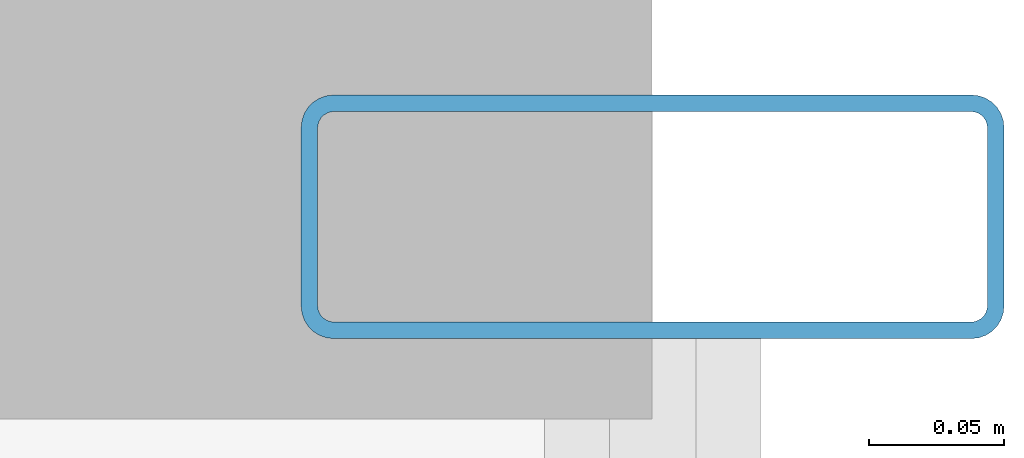
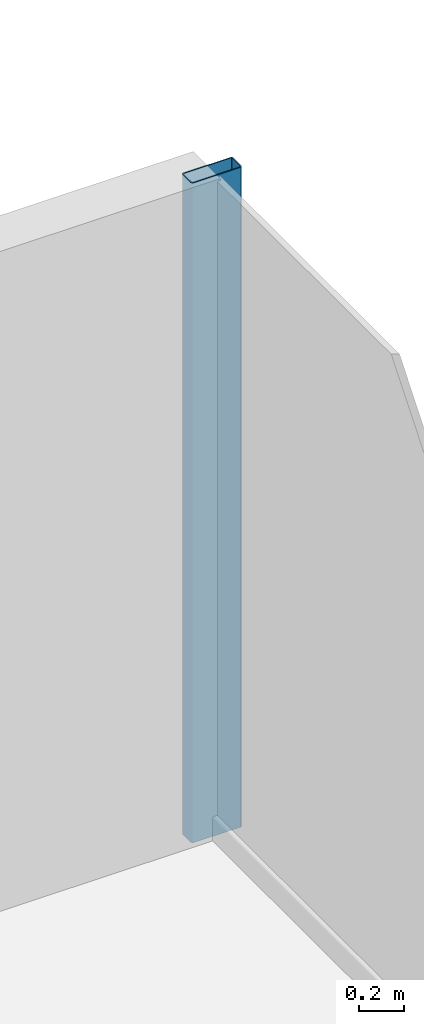
# One storey, part 18 of 26: 1 member, 1 element without a shape of its own.
"""IFC4 building model written with IfcOpenShell, lengths in metres."""

import ifcopenshell
import ifcopenshell.guid

model = None  # the IFC model being written
_history = None  # IfcOwnerHistory: only IFC2X3 demands one
_inside = {}  # id of a spatial element -> (the spatial element, [elements in it])
_under = {}  # id of a project, library or spatial element -> (it, [spatial elements below it])
_declared = {}  # id of a project -> (the project, [libraries it declares])
_typed = {}  # id of a type object -> (the type object, [elements of that type])
_made_of = {}  # id of a material, layer set ... -> (it, [elements and type objects made of it])


def new_model(schema):
    """Start an empty IFC model of exactly this schema.

    Asked for "IFC4X3", IfcOpenShell would pick the latest addendum, in which some entities
    have other attributes; the version numbers below select the first issue.
    IFC2X3 requires an IfcOwnerHistory on every rooted entity: one is made here for all.
    """
    global model, _history
    if schema == "IFC4X3":
        model = ifcopenshell.file(schema_version=(4, 3, 0, 0))
    else:
        model = ifcopenshell.file(schema=schema)
    _inside.clear()
    _under.clear()
    _declared.clear()
    _typed.clear()
    _made_of.clear()
    _history = None
    if model.schema == "IFC2X3":
        org = make("IfcOrganization", Name="unknown")
        user = make(
            "IfcPersonAndOrganization",
            ThePerson=make("IfcPerson", FamilyName="unknown"),
            TheOrganization=org,
        )
        app = make(
            "IfcApplication",
            ApplicationDeveloper=org,
            Version="unknown",
            ApplicationFullName="unknown",
            ApplicationIdentifier="unknown",
        )
        _history = make(
            "IfcOwnerHistory",
            OwningUser=user,
            OwningApplication=app,
            ChangeAction="ADDED",
            CreationDate=0,
        )
    return model


def make(cls, **values):
    """One entity of the class cls with the attributes given. An attribute that is None is left unset."""
    return model.create_entity(
        cls, **{name: value for name, value in values.items() if value is not None}
    )


def rooted(cls, **values):
    """An entity with a GlobalId (a new one), such as an element, a storey or a relation."""
    return make(cls, GlobalId=ifcopenshell.guid.new(), OwnerHistory=_history, **values)


def si_unit(unit_type, name, prefix=None):
    """IfcSIUnit, for example si_unit("LENGTHUNIT", "METRE", prefix="MILLI")."""
    return make("IfcSIUnit", UnitType=unit_type, Prefix=prefix, Name=name)


def assignment(units):
    """IfcUnitAssignment: the units of a project."""
    return None if units is None else make("IfcUnitAssignment", Units=units)


def point(xyz):
    """IfcCartesianPoint."""
    return None if xyz is None else make("IfcCartesianPoint", Coordinates=xyz)


def direction(xyz):
    """IfcDirection."""
    return None if xyz is None else make("IfcDirection", DirectionRatios=xyz)


def frame(location, z_axis=None, x_axis=None):
    """IfcAxis2Placement3D, a coordinate frame: its origin and axes. An axis left out is left unset."""
    return make(
        "IfcAxis2Placement3D",
        Location=point(location),
        Axis=direction(z_axis),
        RefDirection=direction(x_axis),
    )


def frame_2d(location, x_axis=None):
    """IfcAxis2Placement2D, a coordinate frame in the plane: its origin and x axis."""
    return make(
        "IfcAxis2Placement2D", Location=point(location), RefDirection=direction(x_axis)
    )


def origin():
    """The frame at (0, 0, 0) with its axes left unset."""
    return frame((0.0, 0.0, 0.0))


def origin_2d():
    """The frame at (0, 0) in the plane with its x axis left unset."""
    return frame_2d((0.0, 0.0))


def place(relative_to, where):
    """IfcLocalPlacement: puts the frame where relative to a parent placement (None: the world)."""
    return make(
        "IfcLocalPlacement", PlacementRelTo=relative_to, RelativePlacement=where
    )


def context(
    kind, dimensions, precision=None, world=None, true_north=None, identifier=None
):
    """IfcGeometricRepresentationContext, for example the 3D "Model" context."""
    return make(
        "IfcGeometricRepresentationContext",
        ContextIdentifier=identifier,
        ContextType=kind,
        CoordinateSpaceDimension=dimensions,
        Precision=precision,
        WorldCoordinateSystem=world,
        TrueNorth=true_north,
    )


def subcontext(parent, identifier, kind, view, scale=None):
    """IfcGeometricRepresentationSubContext, for example "Body" below "Model"."""
    return make(
        "IfcGeometricRepresentationSubContext",
        ContextIdentifier=identifier,
        ContextType=kind,
        ParentContext=parent,
        TargetScale=scale,
        TargetView=view,
    )


def project(units=None, contexts=None):
    """IfcProject with its units and contexts."""
    return rooted(
        "IfcProject",
        Name="project",
        RepresentationContexts=contexts,
        UnitsInContext=assignment(units),
    )


def spatial(cls, under=None, at=None, **own):
    """A site, building, storey or space (cls), placed at a placement, below another one or the project."""
    s = rooted(cls, ObjectPlacement=at, **own)
    if under is not None:
        _under.setdefault(under.id(), (under, []))[1].append(s)
    return s


def profile(cls, at=None, kind="AREA", **sizes):
    """A parametric profile (cls). Its sizes go by their IFC names, for example OverallWidth=200.0."""
    return make(cls, ProfileType=kind, Position=at, **sizes)


def hollow_rectangle(**sizes):
    """IfcRectangleHollowProfileDef."""
    return profile("IfcRectangleHollowProfileDef", **sizes)


def extrude(swept, where, along, depth):
    """IfcExtrudedAreaSolid: the profile swept, set in the frame where, extruded along a direction by depth."""
    return make(
        "IfcExtrudedAreaSolid",
        SweptArea=swept,
        Position=where,
        ExtrudedDirection=direction(along),
        Depth=depth,
    )


def shape(context_of_items, identifier, shape_type, items):
    """IfcShapeRepresentation: the items that make up one representation, for example the "Body"."""
    return make(
        "IfcShapeRepresentation",
        ContextOfItems=context_of_items,
        RepresentationIdentifier=identifier,
        RepresentationType=shape_type,
        Items=items,
    )


def source(mapping_origin, context_of_items, identifier, shape_type, items):
    """IfcRepresentationMap: a shape defined once, which mapped items show again and again."""
    return make(
        "IfcRepresentationMap",
        MappingOrigin=mapping_origin,
        MappedRepresentation=shape(context_of_items, identifier, shape_type, items),
    )


def transform(
    local_origin,
    x_axis=None,
    y_axis=None,
    z_axis=None,
    scale=None,
    scale2=None,
    scale3=None,
    uniform=True,
):
    """IfcCartesianTransformationOperator3D, or its non-uniform kind. x_axis, y_axis, z_axis: its Axis1, 2, 3."""
    if uniform:
        return make(
            "IfcCartesianTransformationOperator3D",
            Axis1=direction(x_axis),
            Axis2=direction(y_axis),
            LocalOrigin=point(local_origin),
            Scale=scale,
            Axis3=direction(z_axis),
        )
    return make(
        "IfcCartesianTransformationOperator3DnonUniform",
        Axis1=direction(x_axis),
        Axis2=direction(y_axis),
        LocalOrigin=point(local_origin),
        Scale=scale,
        Axis3=direction(z_axis),
        Scale2=scale2,
        Scale3=scale3,
    )


def mapped(mapping_source, mapping_target):
    """IfcMappedItem: shows the shape of a source again, moved by a transform."""
    return make(
        "IfcMappedItem", MappingSource=mapping_source, MappingTarget=mapping_target
    )


def material(Name=None, Category=None):
    """IfcMaterial."""
    return make("IfcMaterial", Name=Name, Category=Category)


def layer(
    of_material, thickness, ventilated=None, Name=None, Category=None, Priority=None
):
    """IfcMaterialLayer: one layer of a wall or slab, of a material (None: an air gap)."""
    return make(
        "IfcMaterialLayer",
        Material=of_material,
        LayerThickness=thickness,
        IsVentilated=ventilated,
        Name=Name,
        Category=Category,
        Priority=Priority,
    )


def layer_set(layers, Name=None):
    """IfcMaterialLayerSet."""
    return make("IfcMaterialLayerSet", MaterialLayers=layers, LayerSetName=Name)


def material_profile(
    of_material, cross_section, Name=None, Category=None, Priority=None
):
    """IfcMaterialProfile: a cross section and its material."""
    return make(
        "IfcMaterialProfile",
        Name=Name,
        Material=of_material,
        Profile=cross_section,
        Priority=Priority,
        Category=Category,
    )


def profile_set(profiles, Name=None, composite=None):
    """IfcMaterialProfileSet."""
    return make(
        "IfcMaterialProfileSet",
        Name=Name,
        MaterialProfiles=profiles,
        CompositeProfile=composite,
    )


def made_of(thing, what):
    """Note that an element or type object is made of a material, layer set ...; save() writes the relation."""
    if what is not None:
        _made_of.setdefault(what.id(), (what, []))[1].append(thing)
    return thing


def type_object(cls, material=None, **own):
    """A type object (cls), such as IfcWallType, which elements share."""
    return made_of(rooted(cls, **own), material)


def element(
    cls,
    number,
    at=None,
    inside=None,
    cuts=None,
    type_object=None,
    material=None,
    context=None,
    identifier="Body",
    shape_type=None,
    held_by="IfcProductDefinitionShape",
    body=None,
    shapes=None,
    **own,
):
    """One element of the class cls, such as IfcWall. Its Tag is "e" and its number.

    at: its placement. inside: the storey or other place that contains it. cuts: it is an
    opening in that element (IfcRelVoidsElement). A single representation is given by context,
    identifier, shape_type and body (its items); several are given by shapes. held_by: the class
    of the entity that holds the representations. save() writes the other relations.
    """
    e = rooted(cls, Tag="e%d" % number, ObjectPlacement=at, **own)
    if body is not None:
        shapes = [shape(context, identifier, shape_type, body)]
    if shapes is not None:
        e.Representation = make(held_by, Representations=shapes)
    if inside is not None:
        _inside.setdefault(inside.id(), (inside, []))[1].append(e)
    if cuts is not None:
        rooted(
            "IfcRelVoidsElement", RelatingBuildingElement=cuts, RelatedOpeningElement=e
        )
    if type_object is not None:
        _typed.setdefault(type_object.id(), (type_object, []))[1].append(e)
    return made_of(e, material)


def aggregate(whole, parts):
    """IfcRelAggregates: a whole, such as a stair, and the parts it consists of."""
    return rooted("IfcRelAggregates", RelatingObject=whole, RelatedObjects=parts)


def save(model, path):
    """Write the relations noted so far, then the file.

    IfcRelAggregates (storeys below a building ...), IfcRelContainedInSpatialStructure (elements
    in a storey), IfcRelDefinesByType, IfcRelAssociatesMaterial and IfcRelDeclares: one each for
    every whole, place, type object, material and project.
    """
    for whole, parts in _under.values():
        aggregate(whole, parts)
    for where, things in _inside.values():
        rooted(
            "IfcRelContainedInSpatialStructure",
            RelatedElements=things,
            RelatingStructure=where,
        )
    for kind, things in _typed.values():
        rooted("IfcRelDefinesByType", RelatedObjects=things, RelatingType=kind)
    for what, things in _made_of.values():
        rooted("IfcRelAssociatesMaterial", RelatedObjects=things, RelatingMaterial=what)
    for by, libraries in _declared.values():
        rooted("IfcRelDeclares", RelatingContext=by, RelatedDefinitions=libraries)
    model.write(path)


model = new_model("IFC4")

# Units and contexts
model_context = context("Model", 3, precision=1e-05, world=origin(), true_north=direction((0.0, 1.0)))
body_context = subcontext(model_context, "Body", "Model", "MODEL_VIEW")
ifc_project = project(units=[si_unit("LENGTHUNIT", "METRE"), si_unit("AREAUNIT", "SQUARE_METRE"), si_unit("VOLUMEUNIT", "CUBIC_METRE"), si_unit("PLANEANGLEUNIT", "RADIAN"), si_unit("MASSUNIT", "GRAM", prefix="KILO")], contexts=[model_context])

# Site, building, storey
site_placement = place(None, origin())
site = spatial("IfcSite", under=ifc_project, at=site_placement, CompositionType="ELEMENT")
building_placement = place(site_placement, origin())
building = spatial("IfcBuilding", under=site, at=building_placement, Name="Nefas-Gora Pilgrimage Tower", CompositionType="ELEMENT")
storey_placement = place(building_placement, frame((0.0, 0.0, 94.60009765625)))
storey = spatial("IfcBuildingStorey", under=building, at=storey_placement, Name="L22", CompositionType="ELEMENT", Elevation=94.60009765625)

# Curtain wall, member
ifc_material_1 = material(Name="Dark ceramic-fritted solar-control aluminium-glass curtain wall", Category="aluminium")
ifc_layer = layer(ifc_material_1, 0.219970703125)
ifc_layer_set = layer_set([ifc_layer], Name="Dark ceramic-fritted solar-control aluminium-glass curtain wall")
curtain_wall_type = type_object("IfcCurtainWallType", Name="CW-SYS-2", PredefinedType="NOTDEFINED", material=ifc_layer_set)
curtain_wall_placement = place(storey_placement, origin())
curtain_wall = element("IfcCurtainWall", 1, at=curtain_wall_placement, inside=storey, type_object=curtain_wall_type, Name="L22 Unitised Curtain Wall CW2", PredefinedType="NOTDEFINED")
ifc_material_2 = material(Name="Anodised architectural aluminium", Category="aluminium")
ifc_material_profile = material_profile(ifc_material_2, hollow_rectangle(XDim=0.090087890625, YDim=0.260009765625, WallThickness=0.006103515625, InnerFilletRadius=0.006103515625, OuterFilletRadius=0.011962890625, at=origin_2d()), Name="ALU MULLION 90x260")
ifc_profile_set = profile_set([ifc_material_profile], Name="Anodised architectural aluminium")
member_type = type_object("IfcMemberType", Name="CWM-MUL-2", PredefinedType="MULLION", material=ifc_profile_set)
shared_shape = source(origin(), body_context, "Body", "SweptSolid", [
    extrude(hollow_rectangle(XDim=0.090087890625, YDim=0.260009765625, WallThickness=0.006103515625, InnerFilletRadius=0.006103515625, OuterFilletRadius=0.011962890625, at=origin_2d()), origin(), (0.0, 0.0, 1.0), 3.5498046875),
])
member_placement = place(storey_placement, frame((34.27001953125, 17.574951171875, 0.0), z_axis=(0.0, 0.0, 1.0), x_axis=(0.0, 1.0, 0.0)))
member = element("IfcMember", 2, at=member_placement, type_object=member_type, Name="CW2 Mullion 2", PredefinedType="MULLION", context=body_context, shape_type="MappedRepresentation", body=[
    mapped(shared_shape, transform((0.0, 0.0, 0.0), x_axis=(1.0, 0.0, 0.0), y_axis=(0.0, 1.0, 0.0), z_axis=(0.0, 0.0, 1.0), scale=1.0)),
])
aggregate(curtain_wall, [member])

save(model, "model.ifc")
